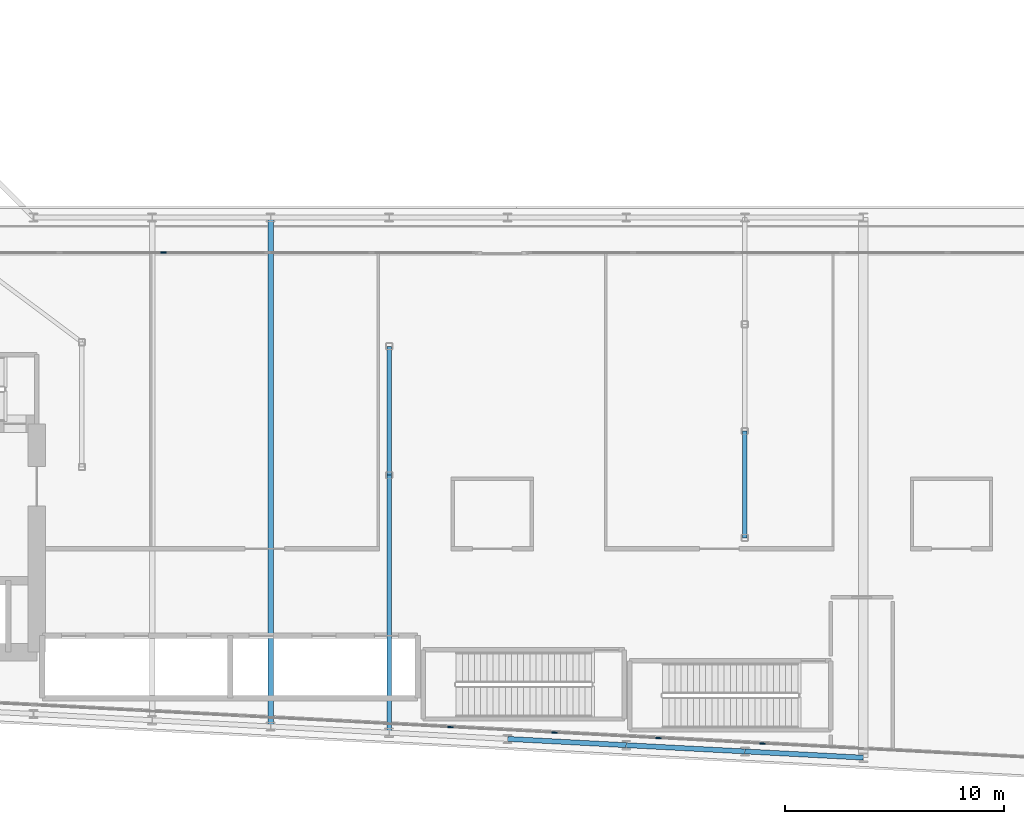
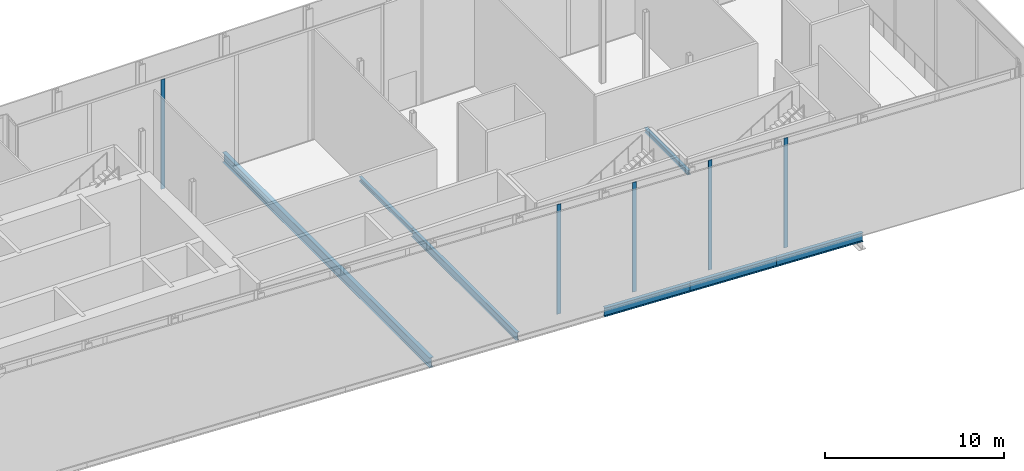
# One storey, part 9 of 37: 7 beams, 5 members, 2 elements without a shape of their own.
"""IFC4 building model written with IfcOpenShell, lengths in metres."""

from ifc_helpers import new_model, si_unit, direction, frame, origin, origin_2d, place, context, subcontext, project, spatial, rectangle, i_section, extrude, material, layer, layer_set, material_profile, profile_set, type_object, element, aggregate, save


model = new_model("IFC4")

# Units and contexts
model_context = context("Model", 3, precision=1e-05, world=origin(), true_north=direction((0.0, 1.0)))
body_context = subcontext(model_context, "Body", "Model", "MODEL_VIEW")
ifc_project = project(units=[si_unit("LENGTHUNIT", "METRE"), si_unit("AREAUNIT", "SQUARE_METRE"), si_unit("VOLUMEUNIT", "CUBIC_METRE"), si_unit("PLANEANGLEUNIT", "RADIAN"), si_unit("MASSUNIT", "GRAM", prefix="KILO")], contexts=[model_context])

# Site, building, storey
site_placement = place(None, origin())
site = spatial("IfcSite", under=ifc_project, at=site_placement, CompositionType="ELEMENT")
building_placement = place(site_placement, origin())
building = spatial("IfcBuilding", under=site, at=building_placement, Name="Kheshtan School and Residences Tower", CompositionType="ELEMENT")
storey_placement = place(building_placement, frame((0.0, 0.0, 144.800048828125)))
storey = spatial("IfcBuildingStorey", under=building, at=storey_placement, Name="L34", CompositionType="ELEMENT", Elevation=144.800048828125)

# Beams
ifc_material_1 = material(Name="Steel ASTM A992 Grade 50", Category="steel")
ifc_material_profile_1 = material_profile(ifc_material_1, i_section(OverallWidth=0.202880859375, OverallDepth=0.302978515625, WebThickness=0.007568359375, FlangeThickness=0.01318359375, FilletRadius=0.009033203125, at=origin_2d()), Name="W310x60")
ifc_profile_set_1 = profile_set([ifc_material_profile_1], Name="Steel ASTM A992 Grade 50")
beam_type_1 = type_object("IfcBeamType", Name="Beam FB1 W310x60 ASTM A992 Grade 50", PredefinedType="BEAM", material=ifc_profile_set_1)
beam_1_placement = place(storey_placement, frame((85.39990234375, 31.0048828125, -0.301513671875), z_axis=(0.0, 1.0, 0.0), x_axis=(-1.0, 0.0, 0.0)))
element("IfcBeam", 1, at=beam_1_placement, inside=storey, type_object=beam_type_1, Name="Floor beam IC", PredefinedType="BEAM", context=body_context, shape_type="SweptSolid", body=[
    extrude(i_section(OverallWidth=0.202880859375, OverallDepth=0.302978515625, WebThickness=0.007568359375, FlangeThickness=0.01318359375, FilletRadius=0.009033203125, at=origin_2d()), origin(), (0.0, 0.0, 1.0), 4.865234375),
])
beam_2_placement = place(storey_placement, frame((69.199951171875, 33.863037109375, -0.301513671875), z_axis=(0.0, 1.0, 0.0), x_axis=(-1.0, 0.0, 0.0)))
element("IfcBeam", 2, at=beam_2_placement, inside=storey, type_object=beam_type_1, Name="Floor beam IC", PredefinedType="BEAM", context=body_context, shape_type="SweptSolid", body=[
    extrude(i_section(OverallWidth=0.202880859375, OverallDepth=0.302978515625, WebThickness=0.007568359375, FlangeThickness=0.01318359375, FilletRadius=0.009033203125, at=origin_2d()), origin(), (0.0, 0.0, 1.0), 5.868896484375),
])
ifc_material_profile_2 = material_profile(ifc_material_1, i_section(OverallWidth=0.208984375, OverallDepth=0.532958984375, WebThickness=0.01025390625, FlangeThickness=0.015625, FilletRadius=0.013916015625, at=origin_2d()), Name="W530x92")
ifc_profile_set_2 = profile_set([ifc_material_profile_2], Name="Steel ASTM A992 Grade 50")
beam_type_2 = type_object("IfcBeamType", Name="Beam FB4 W530x92 ASTM A992 Grade 50", PredefinedType="BEAM", material=ifc_profile_set_2)
beam_3_placement = place(storey_placement, frame((69.199951171875, 22.126953125, -0.41650390625), z_axis=(0.0, 1.0, 0.0), x_axis=(-1.0, 0.0, 0.0)))
element("IfcBeam", 3, at=beam_3_placement, inside=storey, type_object=beam_type_2, Name="Floor beam C014", PredefinedType="BEAM", context=body_context, shape_type="SweptSolid", body=[
    extrude(i_section(OverallWidth=0.208984375, OverallDepth=0.532958984375, WebThickness=0.01025390625, FlangeThickness=0.015625, FilletRadius=0.013916015625, at=origin_2d()), origin(), (0.0, 0.0, 1.0), 11.736083984375),
])
ifc_material_profile_3 = material_profile(ifc_material_1, i_section(OverallWidth=0.2529296875, OverallDepth=0.677978515625, WebThickness=0.01171875, FlangeThickness=0.016357421875, FilletRadius=0.0146484375, at=origin_2d()), Name="W690x125")
ifc_profile_set_3 = profile_set([ifc_material_profile_3], Name="Steel ASTM A992 Grade 50")
beam_type_3 = type_object("IfcBeamType", Name="Beam FB6 W690x125 ASTM A992 Grade 50", PredefinedType="BEAM", material=ifc_profile_set_3)
beam_4_placement = place(storey_placement, frame((63.800048828125, 45.60009765625, -0.489013671875), z_axis=(0.0, -1.0, 0.0), x_axis=(1.0, 0.0, 0.0)))
element("IfcBeam", 4, at=beam_4_placement, inside=storey, type_object=beam_type_3, Name="Floor beam C063", PredefinedType="BEAM", context=body_context, shape_type="SweptSolid", body=[
    extrude(i_section(OverallWidth=0.2529296875, OverallDepth=0.677978515625, WebThickness=0.01171875, FlangeThickness=0.016357421875, FilletRadius=0.0146484375, at=origin_2d()), origin(), (0.0, 0.0, 1.0), 23.189208984375),
])
ifc_material_profile_4 = material_profile(ifc_material_1, i_section(OverallWidth=0.22802734375, OverallDepth=0.60302734375, WebThickness=0.010498046875, FlangeThickness=0.014892578125, FilletRadius=0.013427734375, at=origin_2d()), Name="W610x101")
ifc_profile_set_4 = profile_set([ifc_material_profile_4], Name="Steel ASTM A992 Grade 50")
beam_type_4 = type_object("IfcBeamType", Name="Beam SP2 W610x101 ASTM A992 Grade 50", PredefinedType="BEAM", material=ifc_profile_set_4)
beam_5_placement = place(storey_placement, frame((90.800048828125, 20.989990234375, -0.45166015625), z_axis=(-0.998620571751, 0.05250670125, 0.0), x_axis=(-0.05250670125, -0.998620571751, 0.0)))
element("IfcBeam", 5, at=beam_5_placement, inside=storey, type_object=beam_type_4, Name="Spandrel beam C006-C008", PredefinedType="BEAM", context=body_context, shape_type="SweptSolid", body=[
    extrude(i_section(OverallWidth=0.22802734375, OverallDepth=0.60302734375, WebThickness=0.010498046875, FlangeThickness=0.014892578125, FilletRadius=0.013427734375, at=origin_2d()), origin(), (0.0, 0.0, 1.0), 5.40771484375),
])
for number, where, z_axis, x_axis, name in (
    (6, (85.39990234375, 21.27392578125, -0.45166015625), (-0.998618078766, 0.052554093665, 0.0), (-0.052554093665, -0.998618078766, 0.0), "Spandrel beam C008-C012"),
    (7, (80.0, 21.55810546875, -0.45166015625), (-0.998610961136, 0.052689166816, 0.0), (-0.052689166816, -0.998610961136, 0.0), "Spandrel beam C012-C013"),
):
    element("IfcBeam", number, at=place(storey_placement, frame(where, z_axis=z_axis, x_axis=x_axis)), inside=storey, type_object=beam_type_4, Name=name, PredefinedType="BEAM", context=body_context, shape_type="SweptSolid", body=[
        extrude(i_section(OverallWidth=0.22802734375, OverallDepth=0.60302734375, WebThickness=0.010498046875, FlangeThickness=0.014892578125, FilletRadius=0.013427734375, at=origin_2d()), origin(), (0.0, 0.0, 1.0), 5.407470703125),
    ])

# Curtain wall, member
ifc_material_2 = material(Name="Clear low-e glass in thermally broken aluminium frame", Category="aluminium")
ifc_layer_1 = layer(ifc_material_2, 0.25)
ifc_layer_set_1 = layer_set([ifc_layer_1], Name="Curtain wall CW-G")
curtain_wall_type_1 = type_object("IfcCurtainWallType", Name="Curtain wall CW-G", PredefinedType="NOTDEFINED", material=ifc_layer_set_1)
curtain_wall_1_placement = place(storey_placement, origin())
curtain_wall_1 = element("IfcCurtainWall", 8, at=curtain_wall_1_placement, inside=storey, type_object=curtain_wall_type_1, Name="Curtain wall CWG5", PredefinedType="NOTDEFINED")
ifc_material_3 = material(Name="Thermally broken aluminium, dark bronze anodised", Category="aluminium")
ifc_material_profile_5 = material_profile(ifc_material_3, rectangle(XDim=0.06005859375, YDim=0.25, at=origin_2d()), Name="CW-G mullion 60x250")
ifc_profile_set_5 = profile_set([ifc_material_profile_5], Name="Thermally broken aluminium, dark bronze anodised")
member_type_1 = type_object("IfcMemberType", Name="CW-G mullion 60x250", PredefinedType="MULLION", material=ifc_profile_set_5)
member_1_placement = place(storey_placement, frame((58.909912109375, 44.0, 0.0), z_axis=(0.0, 0.0, 1.0), x_axis=(0.0, 1.0, 0.0)))
member_1 = element("IfcMember", 9, at=member_1_placement, type_object=member_type_1, Name="CWG5 mullion 3", PredefinedType="MULLION", context=body_context, shape_type="SweptSolid", body=[
    extrude(rectangle(XDim=0.06005859375, YDim=0.25, at=origin_2d()), origin(), (0.0, 0.0, 1.0), 7.489990234375),
])
aggregate(curtain_wall_1, [member_1])

# Curtain wall, members
ifc_layer_2 = layer(ifc_material_2, 0.25)
ifc_layer_set_2 = layer_set([ifc_layer_2], Name="Curtain wall CW-K")
curtain_wall_type_2 = type_object("IfcCurtainWallType", Name="Curtain wall CW-K", PredefinedType="NOTDEFINED", material=ifc_layer_set_2)
curtain_wall_2_placement = place(storey_placement, origin())
curtain_wall_2 = element("IfcCurtainWall", 10, at=curtain_wall_2_placement, inside=storey, type_object=curtain_wall_type_2, Name="Curtain wall CWK14", PredefinedType="NOTDEFINED")
ifc_material_profile_6 = material_profile(ifc_material_3, rectangle(XDim=0.06005859375, YDim=0.25, at=origin_2d()), Name="CW-K mullion 60x250")
ifc_profile_set_6 = profile_set([ifc_material_profile_6], Name="Thermally broken aluminium, dark bronze anodised")
member_type_2 = type_object("IfcMemberType", Name="CW-K mullion 60x250", PredefinedType="MULLION", material=ifc_profile_set_6)
member_2_placement = place(storey_placement, frame((86.210205078125, 21.6318359375, 0.0), z_axis=(0.0, 0.0, 1.0), x_axis=(-0.052569888839, -0.998617247391, 0.0)))
member_2 = element("IfcMember", 11, at=member_2_placement, type_object=member_type_2, Name="CWK14 mullion 4", PredefinedType="MULLION", context=body_context, shape_type="SweptSolid", body=[
    extrude(rectangle(XDim=0.06005859375, YDim=0.25, at=origin_2d()), origin(), (0.0, 0.0, 1.0), 7.489990234375),
])
member_3_placement = place(storey_placement, frame((81.46923828125, 21.88134765625, 0.0), z_axis=(0.0, 0.0, 1.0), x_axis=(-0.052569888839, -0.998617247391, 0.0)))
member_3 = element("IfcMember", 12, at=member_3_placement, type_object=member_type_2, Name="CWK14 mullion 5", PredefinedType="MULLION", context=body_context, shape_type="SweptSolid", body=[
    extrude(rectangle(XDim=0.06005859375, YDim=0.25, at=origin_2d()), origin(), (0.0, 0.0, 1.0), 7.489990234375),
])
member_4_placement = place(storey_placement, frame((76.728515625, 22.131103515625, 0.0), z_axis=(0.0, 0.0, 1.0), x_axis=(-0.052569888839, -0.998617247391, 0.0)))
member_4 = element("IfcMember", 13, at=member_4_placement, type_object=member_type_2, Name="CWK14 mullion 6", PredefinedType="MULLION", context=body_context, shape_type="SweptSolid", body=[
    extrude(rectangle(XDim=0.06005859375, YDim=0.25, at=origin_2d()), origin(), (0.0, 0.0, 1.0), 7.489990234375),
])
member_5_placement = place(storey_placement, frame((71.987548828125, 22.380615234375, 0.0), z_axis=(0.0, 0.0, 1.0), x_axis=(-0.052569888839, -0.998617247391, 0.0)))
member_5 = element("IfcMember", 14, at=member_5_placement, type_object=member_type_2, Name="CWK14 mullion 7", PredefinedType="MULLION", context=body_context, shape_type="SweptSolid", body=[
    extrude(rectangle(XDim=0.06005859375, YDim=0.25, at=origin_2d()), origin(), (0.0, 0.0, 1.0), 7.489990234375),
])
aggregate(curtain_wall_2, [member_2, member_3, member_4, member_5])

save(model, "model.ifc")
